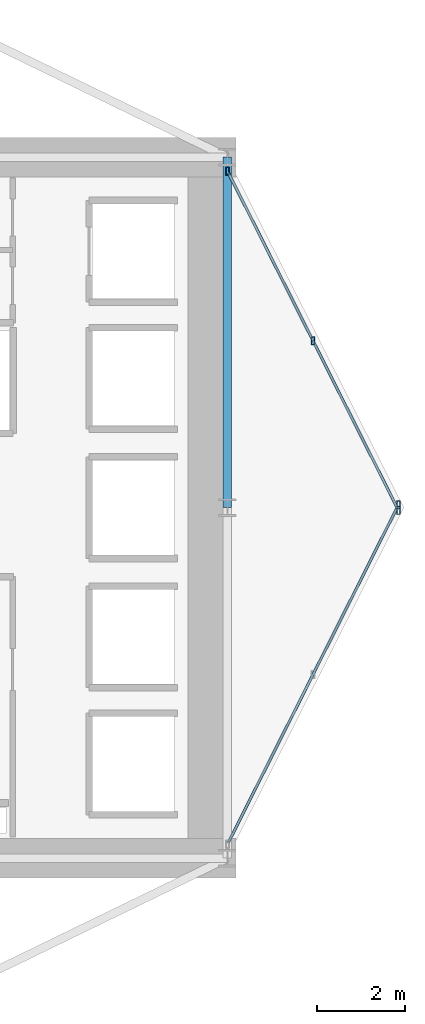
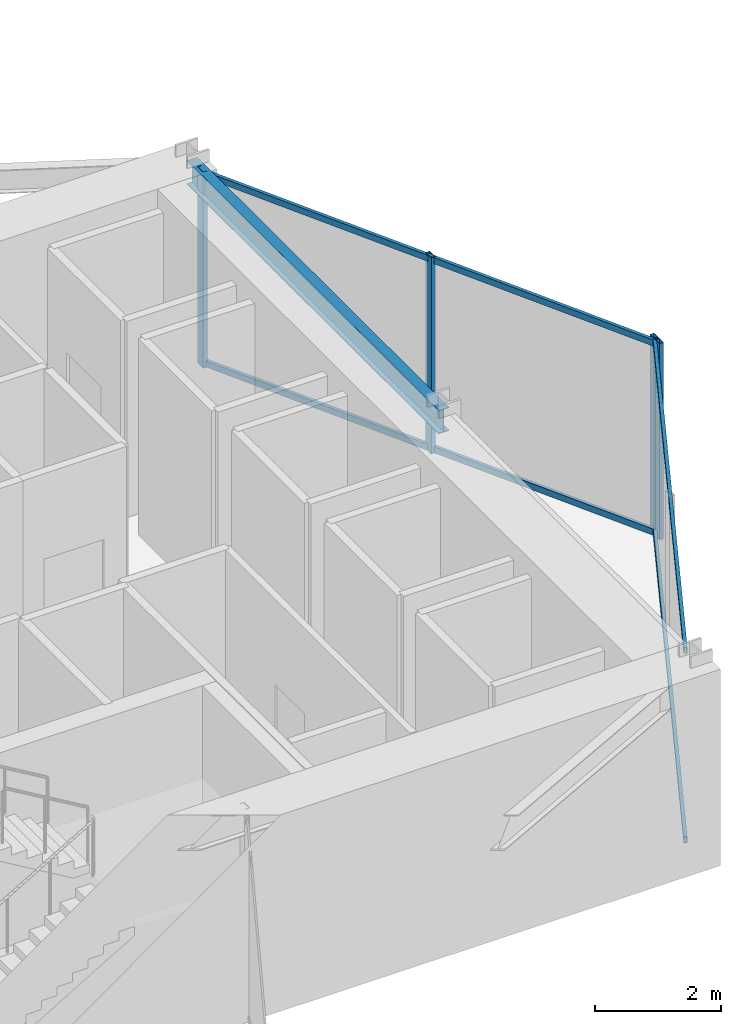
# One storey, part 18 of 29: 8 members, 1 beam, 2 elements without a shape of their own.
"""IFC4 building model written with IfcOpenShell, lengths in metres."""

from ifc_helpers import new_model, si_unit, direction, frame, origin, origin_2d, place, context, subcontext, project, spatial, hollow_rectangle, i_section, extrude, material, layer, layer_set, material_profile, profile_set, type_object, element, aggregate, save


model = new_model("IFC4")

# Units and contexts
model_context = context("Model", 3, precision=1e-05, world=origin(), true_north=direction((0.0, 1.0)))
body_context = subcontext(model_context, "Body", "Model", "MODEL_VIEW")
ifc_project = project(units=[si_unit("LENGTHUNIT", "METRE"), si_unit("AREAUNIT", "SQUARE_METRE"), si_unit("VOLUMEUNIT", "CUBIC_METRE"), si_unit("PLANEANGLEUNIT", "RADIAN"), si_unit("MASSUNIT", "GRAM", prefix="KILO")], contexts=[model_context])

# Site, building, storey
site_placement = place(None, origin())
site = spatial("IfcSite", under=ifc_project, at=site_placement, CompositionType="ELEMENT")
building_placement = place(site_placement, origin())
building = spatial("IfcBuilding", under=site, at=building_placement, Name="Veymaron Broadcast Tower", CompositionType="ELEMENT")
storey_placement = place(building_placement, frame((0.0, 0.0, 58.050048828125)))
storey = spatial("IfcBuildingStorey", under=building, at=storey_placement, Name="L12", CompositionType="ELEMENT", Elevation=58.050048828125)

# Beam
ifc_material_1 = material(Name="Structural steel ASTM A992 Gr 50", Category="steel")
ifc_material_profile_1 = material_profile(ifc_material_1, i_section(OverallWidth=0.19091796875, OverallDepth=0.4599609375, WebThickness=0.010009765625, FlangeThickness=0.01611328125, at=origin_2d()), Name="W460X82")
ifc_profile_set_1 = profile_set([ifc_material_profile_1], Name="Structural steel ASTM A992 Gr 50")
beam_type = type_object("IfcBeamType", Name="BM-SP1", PredefinedType="SPANDREL", material=ifc_profile_set_1)
beam_placement = place(storey_placement, frame((54.60009765625, 24.0, 3.579833984375), z_axis=(0.0, 1.0, 0.0), x_axis=(-1.0, 0.0, 0.0)))
element("IfcBeam", 1, at=beam_placement, inside=storey, type_object=beam_type, Name="L12 primary structural floor girder", PredefinedType="SPANDREL", context=body_context, shape_type="SweptSolid", body=[
    extrude(i_section(OverallWidth=0.19091796875, OverallDepth=0.4599609375, WebThickness=0.010009765625, FlangeThickness=0.01611328125, at=origin_2d()), origin(), (0.0, 0.0, 1.0), 8.0),
])

# Curtain wall, member
ifc_material_2 = material(Name="Anodised aluminium AA 6063-T6 and laminated low-E dark glass", Category="aluminium")
ifc_layer = layer(ifc_material_2, 0.179931640625)
ifc_layer_set = layer_set([ifc_layer], Name="Anodised aluminium AA 6063-T6 and laminated low-E dark glass")
curtain_wall_type = type_object("IfcCurtainWallType", Name="CW-SYS-02", PredefinedType="NOTDEFINED", material=ifc_layer_set)
curtain_wall_1_placement = place(storey_placement, origin())
curtain_wall_1 = element("IfcCurtainWall", 2, at=curtain_wall_1_placement, inside=storey, type_object=curtain_wall_type, Name="L12 dark-glass curtain wall CW-L12-E2-1", PredefinedType="NOTDEFINED")
ifc_material_3 = material(Name="Anodised aluminium AA 6063-T6", Category="aluminium")
ifc_material_profile_2 = material_profile(ifc_material_3, hollow_rectangle(XDim=0.074951171875, YDim=0.179931640625, WallThickness=0.0048828125, at=origin_2d()), Name="AL180X75X5")
ifc_profile_set_2 = profile_set([ifc_material_profile_2], Name="Anodised aluminium AA 6063-T6")
member_type_1 = type_object("IfcMemberType", Name="CW-MUL-02", PredefinedType="MULLION", material=ifc_profile_set_2)
member_1_placement = place(storey_placement, frame((58.507080078125, 24.06298828125, 0.0), z_axis=(0.0, 0.0, 1.0), x_axis=(1.0, 0.0, 0.0)))
member_1 = element("IfcMember", 3, at=member_1_placement, type_object=member_type_1, Name="CW-L12-E2-1 mullion 2", PredefinedType="MULLION", context=body_context, shape_type="SweptSolid", body=[
    extrude(hollow_rectangle(XDim=0.074951171875, YDim=0.179931640625, WallThickness=0.0048828125, at=origin_2d()), origin(), (0.0, 0.0, 1.0), 3.81005859375),
])

# Curtain wall, members
curtain_wall_2_placement = place(storey_placement, origin())
curtain_wall_2 = element("IfcCurtainWall", 4, at=curtain_wall_2_placement, inside=storey, type_object=curtain_wall_type, Name="L12 dark-glass curtain wall CW-L12-E3-1", PredefinedType="NOTDEFINED")
member_2_placement = place(storey_placement, frame((58.507080078125, 23.93701171875, 0.0), z_axis=(0.0, 0.0, 1.0), x_axis=(1.0, 0.0, 0.0)))
member_2 = element("IfcMember", 5, at=member_2_placement, type_object=member_type_1, Name="CW-L12-E3-1 mullion 0", PredefinedType="MULLION", context=body_context, shape_type="SweptSolid", body=[
    extrude(hollow_rectangle(XDim=0.074951171875, YDim=0.179931640625, WallThickness=0.0048828125, at=origin_2d()), origin(), (0.0, 0.0, 1.0), 3.81005859375),
])
member_3_placement = place(storey_placement, frame((56.555419921875, 27.80908203125, 0.0), z_axis=(0.0, 0.0, 1.0), x_axis=(1.0, 0.0, 0.0)))
member_3 = element("IfcMember", 6, at=member_3_placement, type_object=member_type_1, Name="CW-L12-E3-1 mullion 1", PredefinedType="MULLION", context=body_context, shape_type="SweptSolid", body=[
    extrude(hollow_rectangle(XDim=0.074951171875, YDim=0.179931640625, WallThickness=0.0048828125, at=origin_2d()), origin(), (0.0, 0.0, 1.0), 3.81005859375),
])
member_4_placement = place(storey_placement, frame((54.60400390625, 31.681396484375, 0.0), z_axis=(0.0, 0.0, 1.0), x_axis=(1.0, 0.0, 0.0)))
member_4 = element("IfcMember", 7, at=member_4_placement, type_object=member_type_1, Name="CW-L12-E3-1 mullion 2", PredefinedType="MULLION", context=body_context, shape_type="SweptSolid", body=[
    extrude(hollow_rectangle(XDim=0.074951171875, YDim=0.179931640625, WallThickness=0.0048828125, at=origin_2d()), origin(), (0.0, 0.0, 1.0), 3.81005859375),
])

# Member
ifc_material_profile_3 = material_profile(ifc_material_3, hollow_rectangle(XDim=0.06005859375, YDim=0.1201171875, WallThickness=0.00390625, at=origin_2d()), Name="AL120X60X4")
ifc_profile_set_3 = profile_set([ifc_material_profile_3], Name="Anodised aluminium AA 6063-T6")
member_type_2 = type_object("IfcMemberType", Name="CW-TRN-02", PredefinedType="USERDEFINED", material=ifc_profile_set_3)
member_5_placement = place(storey_placement, frame((54.62646484375, 16.36328125, 0.070068359375), z_axis=(0.450070710256, 0.892992920336, 0.0), x_axis=(-0.892992920336, 0.450070710256, 0.0)))
member_5 = element("IfcMember", 8, at=member_5_placement, type_object=member_type_2, Name="CW-L12-E2-1 transom B", ObjectType="TRANSOM", PredefinedType="USERDEFINED", context=body_context, shape_type="SweptSolid", body=[
    extrude(hollow_rectangle(XDim=0.06005859375, YDim=0.1201171875, WallThickness=0.00390625, at=origin_2d()), origin(), (0.0, 0.0, 1.0), 8.572265625),
])

member_6_placement = place(storey_placement, frame((54.62646484375, 16.36328125, 3.739990234375), z_axis=(0.450070710256, 0.892992920336, 0.0), x_axis=(-0.892992920336, 0.450070710256, 0.0)))
member_6 = element("IfcMember", 9, at=member_6_placement, type_object=member_type_2, Name="CW-L12-E2-1 transom T", ObjectType="TRANSOM", PredefinedType="USERDEFINED", context=body_context, shape_type="SweptSolid", body=[
    extrude(hollow_rectangle(XDim=0.06005859375, YDim=0.1201171875, WallThickness=0.00390625, at=origin_2d()), origin(), (0.0, 0.0, 1.0), 8.572265625),
])

aggregate(curtain_wall_1, [member_1, member_5, member_6])

member_7_placement = place(storey_placement, frame((58.484619140625, 23.981689453125, 0.070068359375), z_axis=(-0.450070710256, 0.892992920336, 0.0), x_axis=(-0.892992920336, -0.450070710256, 0.0)))
member_7 = element("IfcMember", 10, at=member_7_placement, type_object=member_type_2, Name="CW-L12-E3-1 transom B", ObjectType="TRANSOM", PredefinedType="USERDEFINED", context=body_context, shape_type="SweptSolid", body=[
    extrude(hollow_rectangle(XDim=0.06005859375, YDim=0.1201171875, WallThickness=0.00390625, at=origin_2d()), origin(), (0.0, 0.0, 1.0), 8.572265625),
])

member_8_placement = place(storey_placement, frame((58.484619140625, 23.981689453125, 3.739990234375), z_axis=(-0.450070710256, 0.892992920336, 0.0), x_axis=(-0.892992920336, -0.450070710256, 0.0)))
member_8 = element("IfcMember", 11, at=member_8_placement, type_object=member_type_2, Name="CW-L12-E3-1 transom T", ObjectType="TRANSOM", PredefinedType="USERDEFINED", context=body_context, shape_type="SweptSolid", body=[
    extrude(hollow_rectangle(XDim=0.06005859375, YDim=0.1201171875, WallThickness=0.00390625, at=origin_2d()), origin(), (0.0, 0.0, 1.0), 8.572265625),
])

aggregate(curtain_wall_2, [member_2, member_3, member_4, member_7, member_8])

save(model, "model.ifc")
